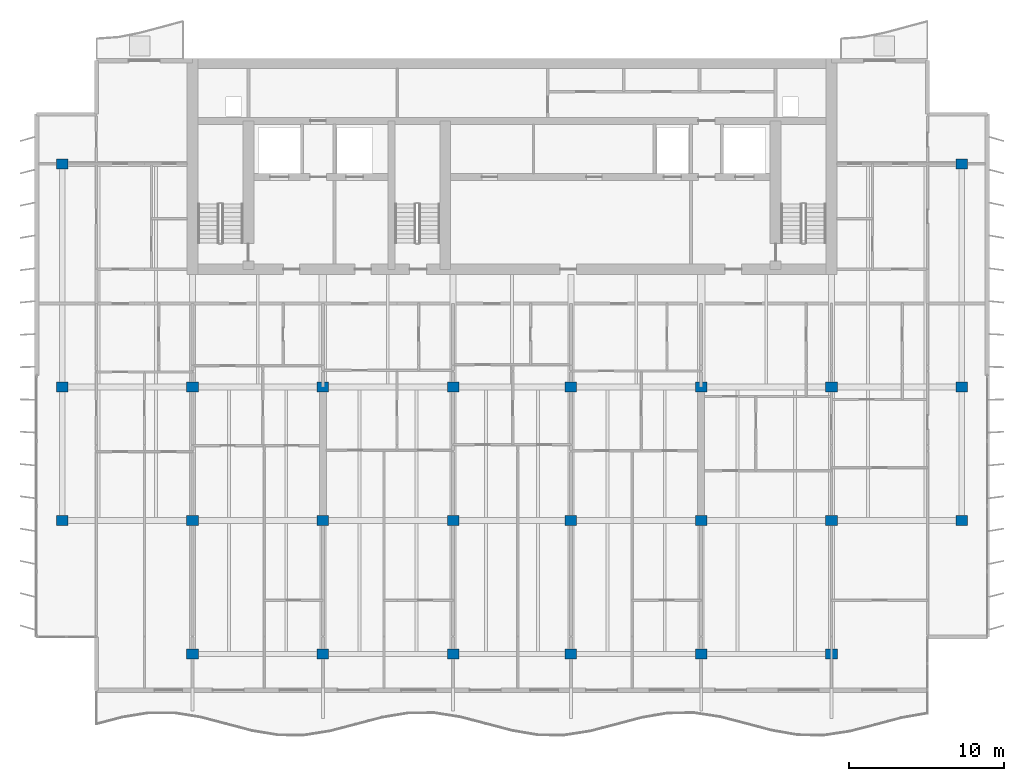
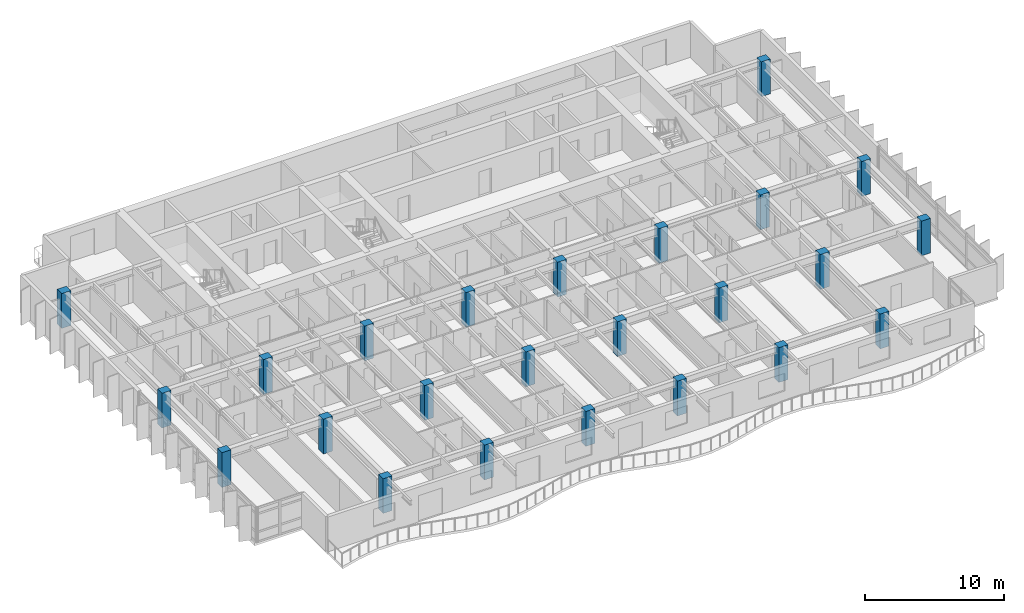
# One storey, part 1 of 17: 24 columns.
"""IFC4 building model written with IfcOpenShell, lengths in metres."""

from ifc_helpers import new_model, si_unit, direction, frame, origin, origin_2d, place, context, subcontext, project, spatial, rectangle, extrude, material, material_profile, profile_set, type_object, element, save


model = new_model("IFC4")

# Units and contexts
model_context = context("Model", 3, precision=1e-05, world=origin(), true_north=direction((0.0, 1.0)))
body_context = subcontext(model_context, "Body", "Model", "MODEL_VIEW")
ifc_project = project(units=[si_unit("LENGTHUNIT", "METRE"), si_unit("AREAUNIT", "SQUARE_METRE"), si_unit("VOLUMEUNIT", "CUBIC_METRE"), si_unit("PLANEANGLEUNIT", "RADIAN"), si_unit("MASSUNIT", "GRAM", prefix="KILO")], contexts=[model_context])

# Site, building, storey
site_placement = place(None, origin())
site = spatial("IfcSite", under=ifc_project, at=site_placement, CompositionType="ELEMENT")
building_placement = place(site_placement, origin())
building = spatial("IfcBuilding", under=site, at=building_placement, Name="Caelmar Bay Residences", CompositionType="ELEMENT")
storey_placement = place(building_placement, frame((0.0, 0.0, 262.800048828125)))
storey = spatial("IfcBuildingStorey", under=building, at=storey_placement, Name="L74", CompositionType="ELEMENT", Elevation=262.800048828125)

# Columns
ifc_material = material(Name="Concrete f'c 55 MPa (8,000 psi)", Category="concrete")
ifc_material_profile = material_profile(ifc_material, rectangle(XDim=0.75, YDim=0.64990234375, at=origin_2d()), Name="RC-COL-750X650")
ifc_profile_set = profile_set([ifc_material_profile], Name="Concrete f'c 55 MPa (8,000 psi)")
column_type = type_object("IfcColumnType", Name="COL-RC-750X650", PredefinedType="COLUMN", material=ifc_profile_set)
for number, where, z_axis, x_axis, name in (
    (1, (18.300048828125, 12.199951171875, 0.0), (0.0, 0.0, 1.0), (1.0, 0.0, 0.0), "L74 Column (18.30,12.20)"),
    (2, (26.699951171875, 12.199951171875, 0.0), (0.0, 0.0, 1.0), (1.0, 0.0, 0.0), "L74 Column (26.70,12.20)"),
    (3, (35.10009765625, 12.199951171875, 0.0), (0.0, 0.0, 1.0), (1.0, 0.0, 0.0), "L74 Column (35.10,12.20)"),
    (4, (42.699951171875, 12.199951171875, 0.0), (0.0, 0.0, 1.0), (1.0, 0.0, 0.0), "L74 Column (42.70,12.20)"),
    (5, (51.10009765625, 12.199951171875, 0.0), (0.0, 0.0, 1.0), (1.0, 0.0, 0.0), "L74 Column (51.10,12.20)"),
    (6, (59.5, 12.199951171875, 0.0), (0.0, 0.0, 1.0), (1.0, 0.0, 0.0), "L74 Column (59.50,12.20)"),
    (7, (9.89990234375, 20.800048828125, 0.0), (0.0, 0.0, 1.0), (1.0, 0.0, 0.0), "L74 Column (9.90,20.80)"),
    (8, (18.300048828125, 20.800048828125, 0.0), (0.0, 0.0, 1.0), (1.0, 0.0, 0.0), "L74 Column (18.30,20.80)"),
    (9, (26.699951171875, 20.800048828125, 0.0), (0.0, 0.0, 1.0), (1.0, 0.0, 0.0), "L74 Column (26.70,20.80)"),
    (10, (35.10009765625, 20.800048828125, 0.0), (0.0, 0.0, 1.0), (1.0, 0.0, 0.0), "L74 Column (35.10,20.80)"),
    (11, (42.699951171875, 20.800048828125, 0.0), (0.0, 0.0, 1.0), (1.0, 0.0, 0.0), "L74 Column (42.70,20.80)"),
    (12, (51.10009765625, 20.800048828125, 0.0), (0.0, 0.0, 1.0), (1.0, 0.0, 0.0), "L74 Column (51.10,20.80)"),
    (13, (59.5, 20.800048828125, 0.0), (0.0, 0.0, 1.0), (1.0, 0.0, 0.0), "L74 Column (59.50,20.80)"),
    (14, (67.89990234375, 20.800048828125, 0.0), (0.0, 0.0, 1.0), (1.0, 0.0, 0.0), "L74 Column (67.90,20.80)"),
    (15, (9.89990234375, 29.39990234375, 0.0), (0.0, 0.0, 1.0), (1.0, 0.0, 0.0), "L74 Column (9.90,29.40)"),
    (16, (18.300048828125, 29.39990234375, 0.0), (0.0, 0.0, 1.0), (1.0, 0.0, 0.0), "L74 Column (18.30,29.40)"),
    (17, (26.699951171875, 29.39990234375, 0.0), (0.0, 0.0, 1.0), (1.0, 0.0, 0.0), "L74 Column (26.70,29.40)"),
    (18, (35.10009765625, 29.39990234375, 0.0), (0.0, 0.0, 1.0), (1.0, 0.0, 0.0), "L74 Column (35.10,29.40)"),
    (19, (42.699951171875, 29.39990234375, 0.0), (0.0, 0.0, 1.0), (1.0, 0.0, 0.0), "L74 Column (42.70,29.40)"),
    (20, (51.10009765625, 29.39990234375, 0.0), (0.0, 0.0, 1.0), (1.0, 0.0, 0.0), "L74 Column (51.10,29.40)"),
    (21, (59.5, 29.39990234375, 0.0), (0.0, 0.0, 1.0), (1.0, 0.0, 0.0), "L74 Column (59.50,29.40)"),
    (22, (67.89990234375, 29.39990234375, 0.0), (0.0, 0.0, 1.0), (1.0, 0.0, 0.0), "L74 Column (67.90,29.40)"),
    (23, (9.89990234375, 43.800048828125, 0.0), (0.0, 0.0, 1.0), (1.0, 0.0, 0.0), "L74 Column (9.90,43.80)"),
    (24, (67.89990234375, 43.800048828125, 0.0), (0.0, 0.0, 1.0), (1.0, 0.0, 0.0), "L74 Column (67.90,43.80)"),
):
    element("IfcColumn", number, at=place(storey_placement, frame(where, z_axis=z_axis, x_axis=x_axis)), inside=storey, type_object=column_type, Name=name, PredefinedType="COLUMN", context=body_context, shape_type="SweptSolid", body=[
        extrude(rectangle(XDim=0.75, YDim=0.64990234375, at=origin_2d()), origin(), (0.0, 0.0, 1.0), 3.050048828125),
    ])

save(model, "model.ifc")
